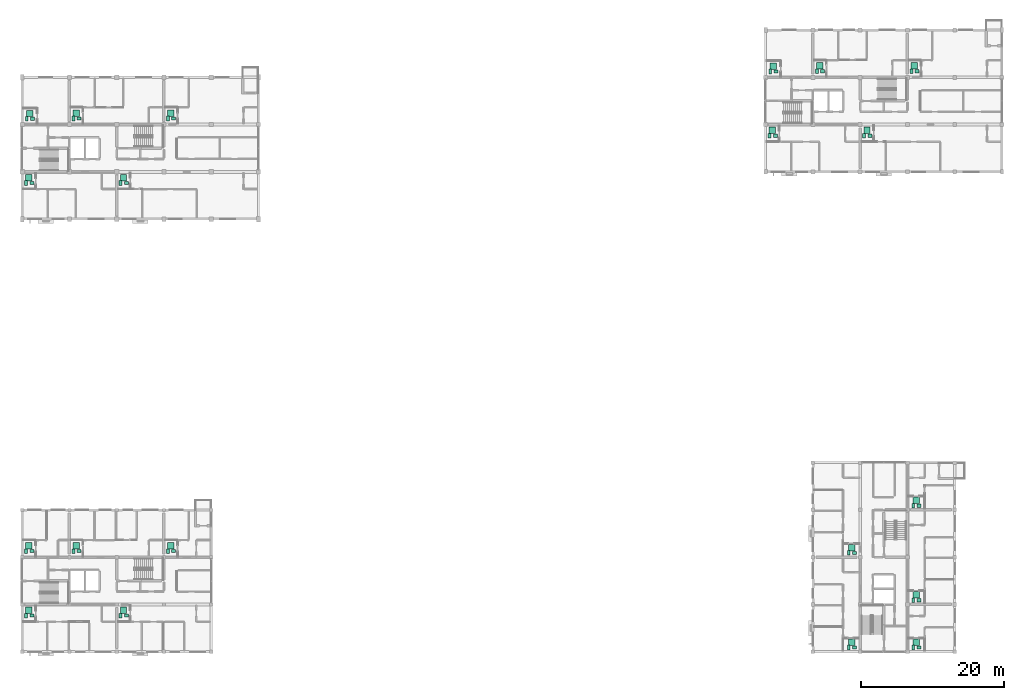
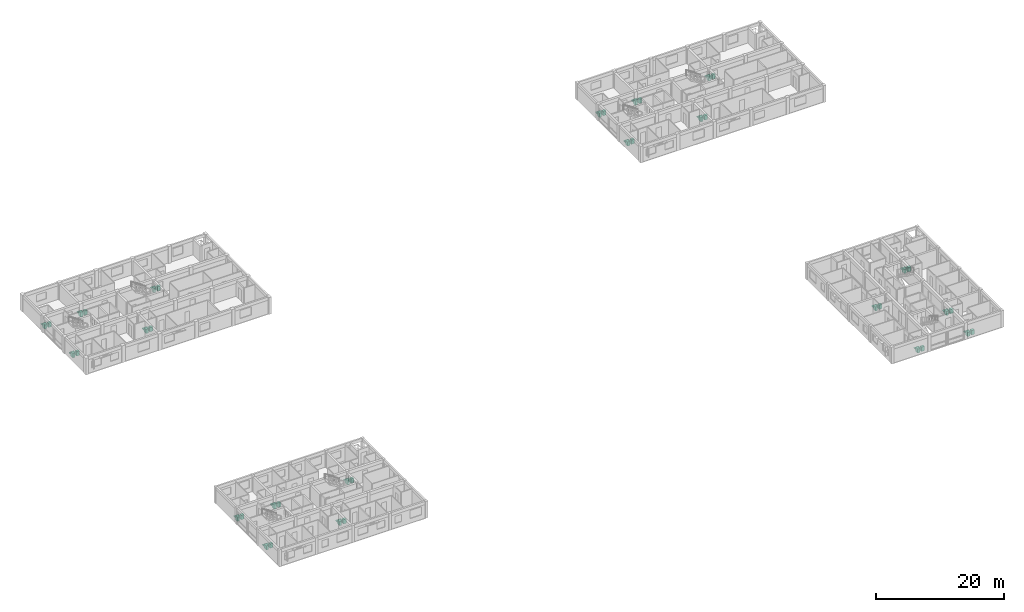
# One storey, part 52 of 52: 60 sanitary terminals.
"""IFC4 building model written with IfcOpenShell, lengths in metres."""

from ifc_helpers import new_model, si_unit, direction, frame, origin, origin_2d, place, context, subcontext, project, spatial, rectangle, extrude, material, type_object, element, save


model = new_model("IFC4")

# Units and contexts
model_context = context("Model", 3, precision=1e-05, world=origin(), true_north=direction((0.0, 1.0)))
body_context = subcontext(model_context, "Body", "Model", "MODEL_VIEW")
ifc_project = project(units=[si_unit("LENGTHUNIT", "METRE"), si_unit("AREAUNIT", "SQUARE_METRE"), si_unit("VOLUMEUNIT", "CUBIC_METRE"), si_unit("PLANEANGLEUNIT", "RADIAN"), si_unit("MASSUNIT", "GRAM", prefix="KILO")], contexts=[model_context])

# Site, building, storey
site_placement = place(None, origin())
site = spatial("IfcSite", under=ifc_project, at=site_placement, CompositionType="ELEMENT")
building_placement = place(site_placement, origin())
building = spatial("IfcBuilding", under=site, at=building_placement, Name="Kernevlak Ridge Housing Community", CompositionType="ELEMENT")
storey_placement = place(building_placement, frame((0.0, 0.0, 11.60009765625)))
storey = spatial("IfcBuildingStorey", under=building, at=storey_placement, Name="L03", CompositionType="ELEMENT", Elevation=11.60009765625)

# Sanitary terminals
ifc_material_1 = material(Name="Vitreous china ceramic")
sanitary_terminal_type_1 = type_object("IfcSanitaryTerminalType", Name="SN-BS", PredefinedType="WASHHANDBASIN", material=ifc_material_1)
for number, where, z_axis, x_axis, name in (
    (1, (16.949951171875, 81.050048828125, 0.0), (0.0, 0.0, 1.0), (1.0, 0.0, 0.0), "Washhand basin 15"),
    (2, (30.14990234375, 81.050048828125, 0.0), (0.0, 0.0, 1.0), (1.0, 0.0, 0.0), "Washhand basin 16"),
    (3, (17.050048828125, 90.0, 0.0), (0.0, 0.0, 1.0), (1.0, 0.0, 0.0), "Washhand basin 17"),
    (4, (23.550048828125, 90.050048828125, 0.0), (0.0, 0.0, 1.0), (1.0, 0.0, 0.0), "Washhand basin 18"),
    (5, (36.75, 90.050048828125, 0.0), (0.0, 0.0, 1.0), (1.0, 0.0, 0.0), "Washhand basin 19"),
    (6, (120.75, 87.64990234375, 0.0), (0.0, 0.0, 1.0), (1.0, 0.0, 0.0), "Washhand basin 112"),
    (7, (133.949951171875, 87.64990234375, 0.0), (0.0, 0.0, 1.0), (1.0, 0.0, 0.0), "Washhand basin 113"),
    (8, (120.85009765625, 96.60009765625, 0.0), (0.0, 0.0, 1.0), (1.0, 0.0, 0.0), "Washhand basin 114"),
    (9, (127.35009765625, 96.64990234375, 0.0), (0.0, 0.0, 1.0), (1.0, 0.0, 0.0), "Washhand basin 115"),
    (10, (140.550048828125, 96.64990234375, 0.0), (0.0, 0.0, 1.0), (1.0, 0.0, 0.0), "Washhand basin 116"),
    (11, (131.800048828125, 16.199951171875, 0.0), (0.0, 0.0, 1.0), (1.0, 0.0, 0.0), "Washhand basin 194"),
    (12, (131.800048828125, 29.39990234375, 0.0), (0.0, 0.0, 1.0), (1.0, 0.0, 0.0), "Washhand basin 195"),
    (13, (140.800048828125, 16.199951171875, 0.0), (0.0, 0.0, 1.0), (1.0, 0.0, 0.0), "Washhand basin 196"),
    (14, (140.800048828125, 22.800048828125, 0.0), (0.0, 0.0, 1.0), (1.0, 0.0, 0.0), "Washhand basin 197"),
    (15, (140.800048828125, 36.0, 0.0), (0.0, 0.0, 1.0), (1.0, 0.0, 0.0), "Washhand basin 198"),
    (16, (16.949951171875, 20.64990234375, 0.0), (0.0, 0.0, 1.0), (1.0, 0.0, 0.0), "Washhand basin 259"),
    (17, (30.14990234375, 20.64990234375, 0.0), (0.0, 0.0, 1.0), (1.0, 0.0, 0.0), "Washhand basin 260"),
    (18, (16.949951171875, 29.64990234375, 0.0), (0.0, 0.0, 1.0), (1.0, 0.0, 0.0), "Washhand basin 261"),
    (19, (23.550048828125, 29.64990234375, 0.0), (0.0, 0.0, 1.0), (1.0, 0.0, 0.0), "Washhand basin 262"),
    (20, (36.75, 29.64990234375, 0.0), (0.0, 0.0, 1.0), (1.0, 0.0, 0.0), "Washhand basin 263"),
):
    element("IfcSanitaryTerminal", number, at=place(storey_placement, frame(where, z_axis=z_axis, x_axis=x_axis)), inside=storey, type_object=sanitary_terminal_type_1, Name=name, PredefinedType="WASHHANDBASIN", context=body_context, shape_type="SweptSolid", body=[
        extrude(rectangle(XDim=0.550048828125, YDim=0.449951171875, at=origin_2d()), origin(), (0.0, 0.0, 1.0), 0.820068359375),
    ])
ifc_material_2 = material(Name="Glazed porcelain ceramic")
sanitary_terminal_type_2 = type_object("IfcSanitaryTerminalType", Name="SN-SH", PredefinedType="SHOWER", material=ifc_material_2)
for number, where, z_axis, x_axis, name in (
    (21, (16.550048828125, 81.800048828125, -0.000244140625), (0.0, 0.0, 1.0), (1.0, 0.0, 0.0), "Shower tray 15"),
    (22, (29.75, 81.800048828125, -0.000244140625), (0.0, 0.0, 1.0), (1.0, 0.0, 0.0), "Shower tray 16"),
    (23, (16.64990234375, 90.75, -0.000244140625), (0.0, 0.0, 1.0), (1.0, 0.0, 0.0), "Shower tray 17"),
    (24, (23.14990234375, 90.800048828125, -0.000244140625), (0.0, 0.0, 1.0), (1.0, 0.0, 0.0), "Shower tray 18"),
    (25, (36.35009765625, 90.800048828125, -0.000244140625), (0.0, 0.0, 1.0), (1.0, 0.0, 0.0), "Shower tray 19"),
    (26, (120.35009765625, 88.39990234375, -0.000244140625), (0.0, 0.0, 1.0), (1.0, 0.0, 0.0), "Shower tray 112"),
    (27, (133.550048828125, 88.39990234375, -0.000244140625), (0.0, 0.0, 1.0), (1.0, 0.0, 0.0), "Shower tray 113"),
    (28, (120.449951171875, 97.35009765625, -0.000244140625), (0.0, 0.0, 1.0), (1.0, 0.0, 0.0), "Shower tray 114"),
    (29, (126.949951171875, 97.39990234375, -0.000244140625), (0.0, 0.0, 1.0), (1.0, 0.0, 0.0), "Shower tray 115"),
    (30, (140.14990234375, 97.39990234375, -0.000244140625), (0.0, 0.0, 1.0), (1.0, 0.0, 0.0), "Shower tray 116"),
    (31, (131.39990234375, 16.949951171875, -0.000244140625), (0.0, 0.0, 1.0), (1.0, 0.0, 0.0), "Shower tray 194"),
    (32, (131.39990234375, 30.14990234375, -0.000244140625), (0.0, 0.0, 1.0), (1.0, 0.0, 0.0), "Shower tray 195"),
    (33, (140.39990234375, 16.949951171875, -0.000244140625), (0.0, 0.0, 1.0), (1.0, 0.0, 0.0), "Shower tray 196"),
    (34, (140.39990234375, 23.550048828125, -0.000244140625), (0.0, 0.0, 1.0), (1.0, 0.0, 0.0), "Shower tray 197"),
    (35, (140.39990234375, 36.75, -0.000244140625), (0.0, 0.0, 1.0), (1.0, 0.0, 0.0), "Shower tray 198"),
    (36, (16.550048828125, 21.39990234375, -0.000244140625), (0.0, 0.0, 1.0), (1.0, 0.0, 0.0), "Shower tray 259"),
    (37, (29.75, 21.39990234375, -0.000244140625), (0.0, 0.0, 1.0), (1.0, 0.0, 0.0), "Shower tray 260"),
    (38, (16.550048828125, 30.39990234375, -0.000244140625), (0.0, 0.0, 1.0), (1.0, 0.0, 0.0), "Shower tray 261"),
    (39, (23.14990234375, 30.39990234375, -0.000244140625), (0.0, 0.0, 1.0), (1.0, 0.0, 0.0), "Shower tray 262"),
    (40, (36.35009765625, 30.39990234375, -0.000244140625), (0.0, 0.0, 1.0), (1.0, 0.0, 0.0), "Shower tray 263"),
):
    element("IfcSanitaryTerminal", number, at=place(storey_placement, frame(where, z_axis=z_axis, x_axis=x_axis)), inside=storey, type_object=sanitary_terminal_type_2, Name=name, PredefinedType="SHOWER", context=body_context, shape_type="SweptSolid", body=[
        extrude(rectangle(XDim=0.89990234375, YDim=0.89990234375, at=origin_2d()), origin(), (0.0, 0.0, 1.0), 0.1201171875),
    ])
sanitary_terminal_type_3 = type_object("IfcSanitaryTerminalType", Name="SN-WC", PredefinedType="TOILETPAN", material=ifc_material_1)
for number, where, z_axis, x_axis, name in (
    (41, (16.14990234375, 81.050048828125, 0.0), (0.0, 0.0, 1.0), (1.0, 0.0, 0.0), "WC pan 15"),
    (42, (29.35009765625, 81.050048828125, 0.0), (0.0, 0.0, 1.0), (1.0, 0.0, 0.0), "WC pan 16"),
    (43, (16.25, 90.0, 0.0), (0.0, 0.0, 1.0), (1.0, 0.0, 0.0), "WC pan 17"),
    (44, (22.75, 90.050048828125, 0.0), (0.0, 0.0, 1.0), (1.0, 0.0, 0.0), "WC pan 18"),
    (45, (35.949951171875, 90.050048828125, 0.0), (0.0, 0.0, 1.0), (1.0, 0.0, 0.0), "WC pan 19"),
    (46, (119.949951171875, 87.64990234375, 0.0), (0.0, 0.0, 1.0), (1.0, 0.0, 0.0), "WC pan 112"),
    (47, (133.14990234375, 87.64990234375, 0.0), (0.0, 0.0, 1.0), (1.0, 0.0, 0.0), "WC pan 113"),
    (48, (120.050048828125, 96.60009765625, 0.0), (0.0, 0.0, 1.0), (1.0, 0.0, 0.0), "WC pan 114"),
    (49, (126.550048828125, 96.64990234375, 0.0), (0.0, 0.0, 1.0), (1.0, 0.0, 0.0), "WC pan 115"),
    (50, (139.75, 96.64990234375, 0.0), (0.0, 0.0, 1.0), (1.0, 0.0, 0.0), "WC pan 116"),
    (51, (131.0, 16.199951171875, 0.0), (0.0, 0.0, 1.0), (1.0, 0.0, 0.0), "WC pan 194"),
    (52, (131.0, 29.39990234375, 0.0), (0.0, 0.0, 1.0), (1.0, 0.0, 0.0), "WC pan 195"),
    (53, (140.0, 16.199951171875, 0.0), (0.0, 0.0, 1.0), (1.0, 0.0, 0.0), "WC pan 196"),
    (54, (140.0, 22.800048828125, 0.0), (0.0, 0.0, 1.0), (1.0, 0.0, 0.0), "WC pan 197"),
    (55, (140.0, 36.0, 0.0), (0.0, 0.0, 1.0), (1.0, 0.0, 0.0), "WC pan 198"),
    (56, (16.14990234375, 20.64990234375, 0.0), (0.0, 0.0, 1.0), (1.0, 0.0, 0.0), "WC pan 259"),
    (57, (29.35009765625, 20.64990234375, 0.0), (0.0, 0.0, 1.0), (1.0, 0.0, 0.0), "WC pan 260"),
    (58, (16.14990234375, 29.64990234375, 0.0), (0.0, 0.0, 1.0), (1.0, 0.0, 0.0), "WC pan 261"),
    (59, (22.75, 29.64990234375, 0.0), (0.0, 0.0, 1.0), (1.0, 0.0, 0.0), "WC pan 262"),
    (60, (35.949951171875, 29.64990234375, 0.0), (0.0, 0.0, 1.0), (1.0, 0.0, 0.0), "WC pan 263"),
):
    element("IfcSanitaryTerminal", number, at=place(storey_placement, frame(where, z_axis=z_axis, x_axis=x_axis)), inside=storey, type_object=sanitary_terminal_type_3, Name=name, PredefinedType="TOILETPAN", context=body_context, shape_type="SweptSolid", body=[
        extrude(rectangle(XDim=0.39990234375, YDim=0.64990234375, at=origin_2d()), origin(), (0.0, 0.0, 1.0), 0.780029296875),
    ])

save(model, "model.ifc")
